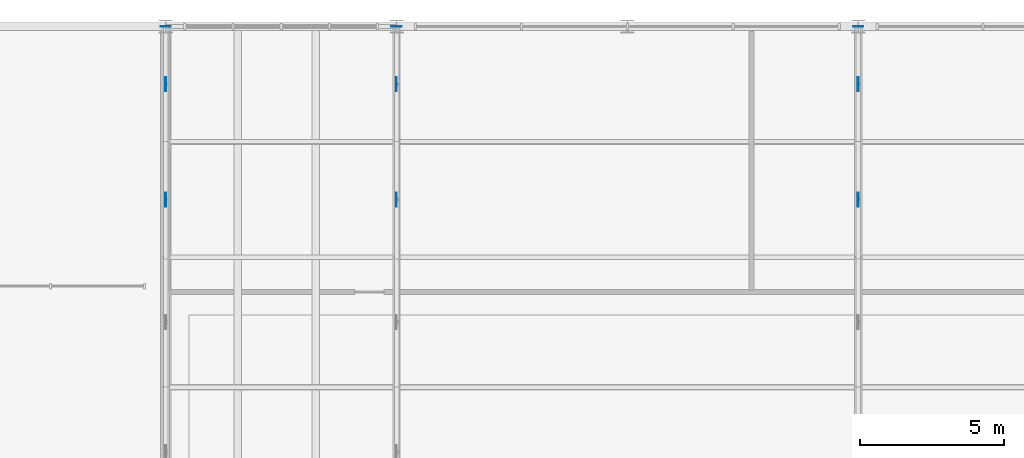
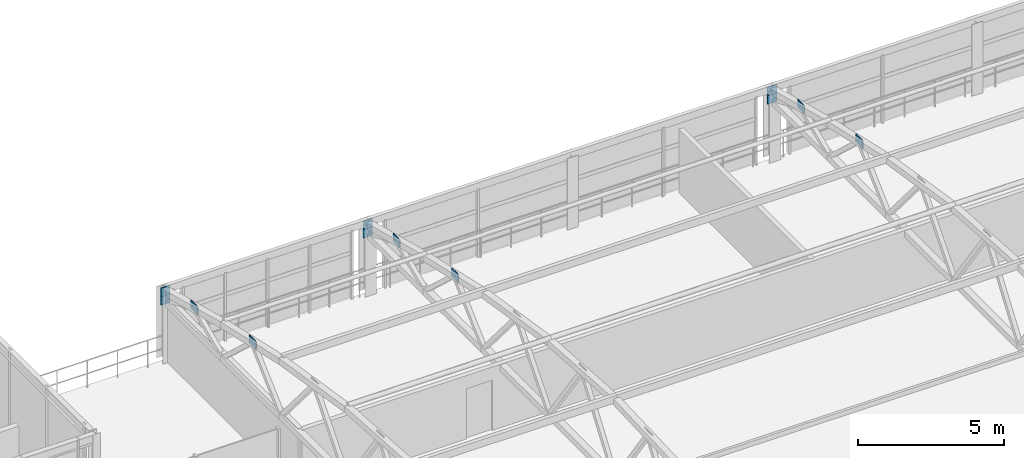
# One storey, part 32 of 50: 12 plates.
"""IFC4 building model written with IfcOpenShell, lengths in metres."""

from ifc_helpers import new_model, si_unit, derived_unit, direction, frame, origin, origin_2d, place, context, subcontext, project, spatial, rectangle, extrude, material, layer, layer_set, type_object, element, save


model = new_model("IFC4")

# Units and contexts
model_context = context("Model", 3, precision=1e-05, world=origin(), true_north=direction((0.0, 1.0)))
body_context = subcontext(model_context, "Body", "Model", "MODEL_VIEW")
ifc_project = project(units=[si_unit("LENGTHUNIT", "METRE"), si_unit("AREAUNIT", "SQUARE_METRE"), si_unit("VOLUMEUNIT", "CUBIC_METRE"), si_unit("PLANEANGLEUNIT", "RADIAN"), si_unit("MASSUNIT", "GRAM", prefix="KILO"), si_unit("THERMODYNAMICTEMPERATUREUNIT", "KELVIN"), derived_unit("THERMALTRANSMITTANCEUNIT", [(si_unit("POWERUNIT", "WATT"), 1), (si_unit("AREAUNIT", "SQUARE_METRE"), -1), (si_unit("THERMODYNAMICTEMPERATUREUNIT", "KELVIN"), -1)])], contexts=[model_context])

# Site, building, storey
site_placement = place(None, origin())
site = spatial("IfcSite", under=ifc_project, at=site_placement, CompositionType="ELEMENT")
building_placement = place(site_placement, origin())
building = spatial("IfcBuilding", under=site, at=building_placement, Name="Haiyu Intermodal Mobility Hub", CompositionType="ELEMENT")
storey_placement = place(building_placement, frame((0.0, 0.0, 25.10009765625)))
storey = spatial("IfcBuildingStorey", under=building, at=storey_placement, Name="L06", CompositionType="ELEMENT", Elevation=25.10009765625)

# Plates
ifc_material = material(Name="Steel Q355C", Category="steel")
ifc_layer_1 = layer(ifc_material, 0.031982421875)
ifc_layer_set_1 = layer_set([ifc_layer_1], Name="Steel Q355C")
plate_type_1 = type_object("IfcPlateType", Name="PLT-GP02-INT", PredefinedType="USERDEFINED", material=ifc_layer_set_1)
for number, where, z_axis, x_axis, name in (
    (1, (38.0, 148.0, 2.6796875), (0.0, 0.0, 1.0), (1.0, 0.0, 0.0), "Pavilion Truss End Cap 1-2"),
    (2, (38.0, 148.0, 2.31982421875), (0.0, 0.0, 1.0), (1.0, 0.0, 0.0), "Pavilion Truss End Cap 1-4"),
    (3, (46.0, 148.0, 2.6796875), (0.0, 0.0, 1.0), (1.0, 0.0, 0.0), "Pavilion Truss End Cap 2-2"),
    (4, (46.0, 148.0, 2.31982421875), (0.0, 0.0, 1.0), (1.0, 0.0, 0.0), "Pavilion Truss End Cap 2-4"),
    (5, (62.0, 148.0, 2.6796875), (0.0, 0.0, 1.0), (1.0, 0.0, 0.0), "Pavilion Truss End Cap 3-2"),
    (6, (62.0, 148.0, 2.31982421875), (0.0, 0.0, 1.0), (1.0, 0.0, 0.0), "Pavilion Truss End Cap 3-4"),
):
    element("IfcPlate", number, at=place(storey_placement, frame(where, z_axis=z_axis, x_axis=x_axis)), inside=storey, type_object=plate_type_1, Name=name, ObjectType="GUSSET PLATE", PredefinedType="USERDEFINED", context=body_context, shape_type="SweptSolid", body=[
        extrude(rectangle(XDim=0.360107421875, YDim=0.028076171875, at=origin_2d()), origin(), (0.0, 0.0, 1.0), 0.360107421875),
    ])
ifc_layer_2 = layer(ifc_material, 0.028076171875)
ifc_layer_set_2 = layer_set([ifc_layer_2], Name="Steel Q355C")
plate_type_2 = type_object("IfcPlateType", Name="PLT-GP03", PredefinedType="USERDEFINED", material=ifc_layer_set_2)
for number, where, z_axis, x_axis, name in (
    (7, (38.0, 142.0, 4.1787109375), (0.0, 0.0, 1.0), (1.0, 0.0, 0.0), "PLT-PAV-039"),
    (8, (38.0, 146.0, 3.2080078125), (0.0, 0.0, 1.0), (1.0, 0.0, 0.0), "PLT-PAV-040"),
    (9, (62.0, 142.0, 4.1787109375), (0.0, 0.0, 1.0), (1.0, 0.0, 0.0), "PLT-PAV-055"),
    (10, (62.0, 146.0, 3.2080078125), (0.0, 0.0, 1.0), (1.0, 0.0, 0.0), "PLT-PAV-056"),
):
    element("IfcPlate", number, at=place(storey_placement, frame(where, z_axis=z_axis, x_axis=x_axis)), inside=storey, type_object=plate_type_2, Name=name, ObjectType="GUSSET PLATE", PredefinedType="USERDEFINED", context=body_context, shape_type="SweptSolid", body=[
        extrude(rectangle(XDim=0.028076171875, YDim=0.47998046875, at=origin_2d()), origin(), (0.0, 0.0, 1.0), 0.340087890625),
    ])
ifc_layer_3 = layer(ifc_material, 0.02587890625)
ifc_layer_set_3 = layer_set([ifc_layer_3], Name="Steel Q355C")
plate_type_3 = type_object("IfcPlateType", Name="PLT-GP06-INT", PredefinedType="USERDEFINED", material=ifc_layer_set_3)
for number, where, z_axis, x_axis, name in (
    (11, (46.0, 142.0, 4.1787109375), (0.0, 0.0, 1.0), (1.0, 0.0, 0.0), "PLT-PAV-047"),
    (12, (46.0, 146.0, 3.2080078125), (0.0, 0.0, 1.0), (1.0, 0.0, 0.0), "PLT-PAV-048"),
):
    element("IfcPlate", number, at=place(storey_placement, frame(where, z_axis=z_axis, x_axis=x_axis)), inside=storey, type_object=plate_type_3, Name=name, ObjectType="GUSSET PLATE", PredefinedType="USERDEFINED", context=body_context, shape_type="SweptSolid", body=[
        extrude(rectangle(XDim=0.028076171875, YDim=0.47998046875, at=origin_2d()), origin(), (0.0, 0.0, 1.0), 0.340087890625),
    ])

save(model, "model.ifc")
